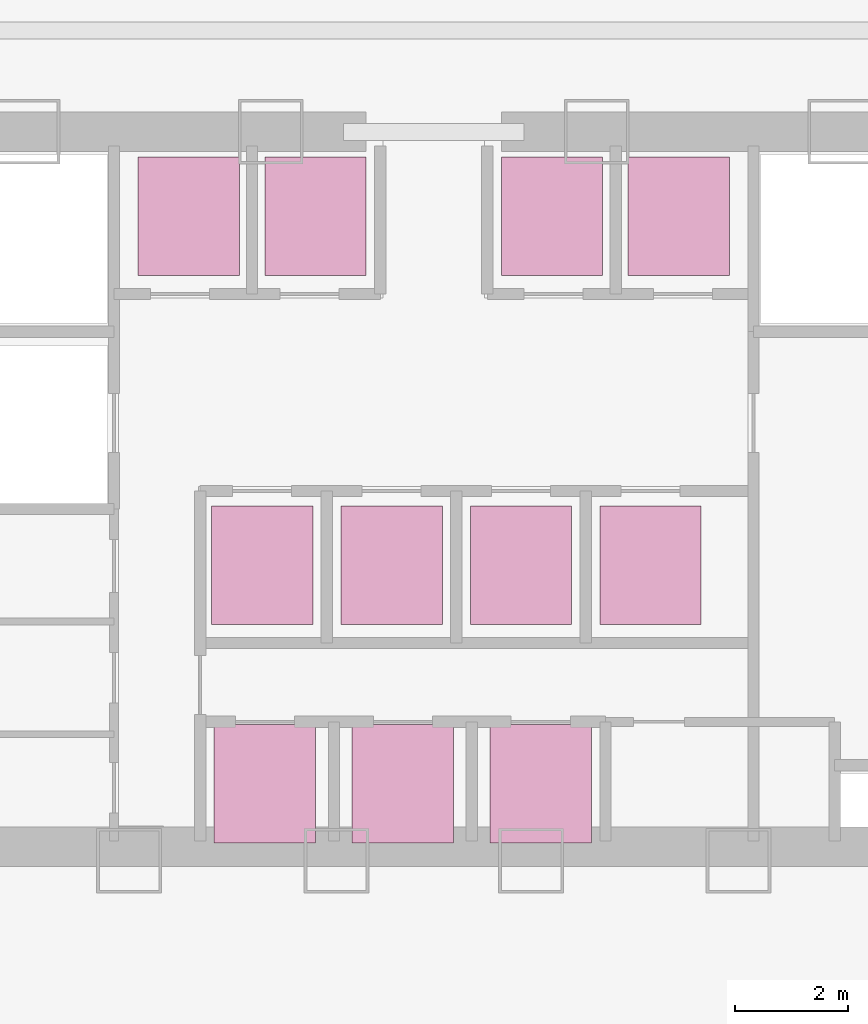
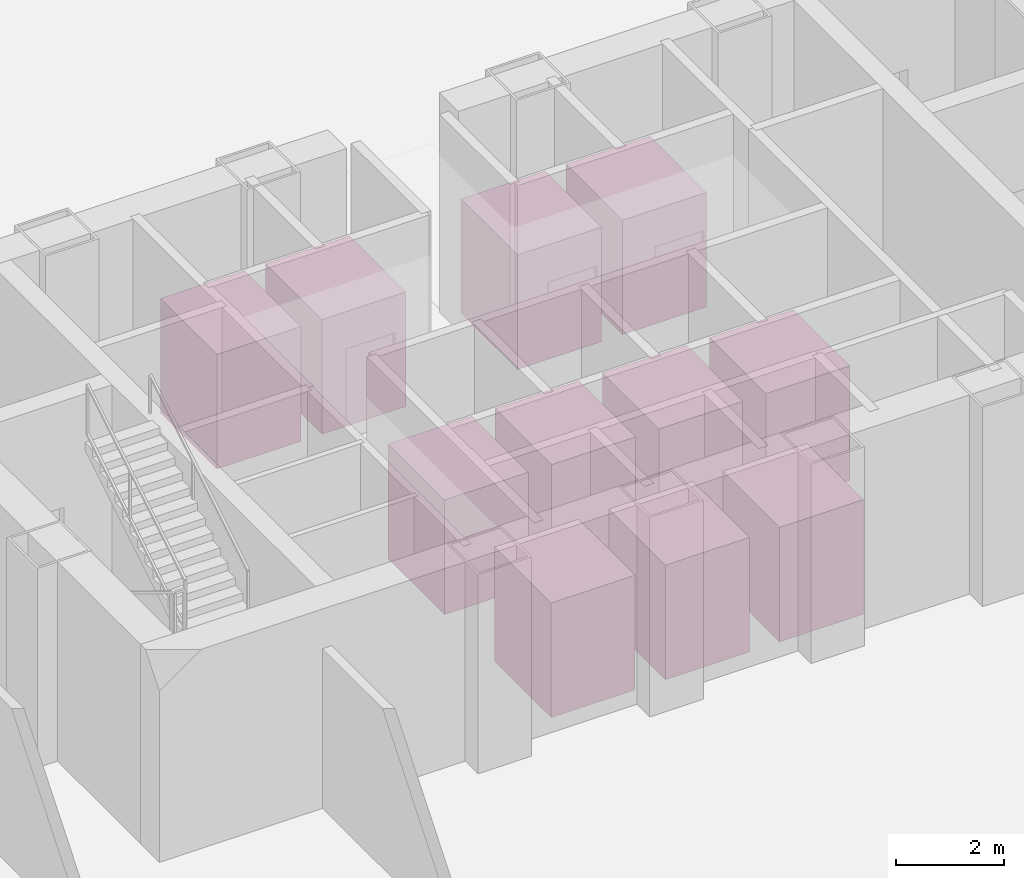
# One storey, part 58 of 58: 11 transport elements.
"""IFC4 building model written with IfcOpenShell, lengths in metres."""

from ifc_helpers import new_model, si_unit, direction, frame, origin, origin_2d, place, context, subcontext, project, spatial, rectangle, extrude, source, transform, mapped, material, type_object, element, save


model = new_model("IFC4")

# Units and contexts
model_context = context("Model", 3, precision=1e-05, world=origin(), true_north=direction((0.0, 1.0)))
body_context = subcontext(model_context, "Body", "Model", "MODEL_VIEW")
ifc_project = project(units=[si_unit("LENGTHUNIT", "METRE"), si_unit("AREAUNIT", "SQUARE_METRE"), si_unit("VOLUMEUNIT", "CUBIC_METRE"), si_unit("PLANEANGLEUNIT", "RADIAN"), si_unit("MASSUNIT", "GRAM", prefix="KILO"), si_unit("THERMODYNAMICTEMPERATUREUNIT", "KELVIN"), si_unit("POWERUNIT", "WATT")], contexts=[model_context])

# Site, building, storey
site_placement = place(None, origin())
site = spatial("IfcSite", under=ifc_project, at=site_placement, CompositionType="ELEMENT")
building_placement = place(site_placement, origin())
building = spatial("IfcBuilding", under=site, at=building_placement, Name="Yunzhuo Pagoda Commons", CompositionType="ELEMENT")
storey_placement = place(building_placement, origin())
storey = spatial("IfcBuildingStorey", under=building, at=storey_placement, Name="L01", CompositionType="ELEMENT", Elevation=0.0)

# Transport elements
ifc_material = material(Name="Brushed stainless cabin enclosure")
transport_element_type = type_object("IfcTransportElementType", Name="ELV-PAS1 High-Speed Passenger Lift Car 1800x2100", PredefinedType="ELEVATOR", material=ifc_material)
shared_shape = source(origin(), body_context, "Body", "SweptSolid", [
    extrude(rectangle(XDim=1.800048828125, YDim=2.10009765625, at=origin_2d()), origin(), (0.0, 0.0, 1.0), 2.60009765625),
])
for number, where, z_axis, x_axis, name in (
    (1, (43.64990234375, 38.699951171875, 0.0), (0.0, 0.0, 1.0), (1.0, 0.0, 0.0), "Passenger Lift PL-L1"),
    (2, (45.89990234375, 38.699951171875, 0.0), (0.0, 0.0, 1.0), (1.0, 0.0, 0.0), "Passenger Lift PL-L2"),
    (3, (50.10009765625, 38.699951171875, 0.0), (0.0, 0.0, 1.0), (1.0, 0.0, 0.0), "Passenger Lift PL-L3"),
    (4, (52.35009765625, 38.699951171875, 0.0), (0.0, 0.0, 1.0), (1.0, 0.0, 0.0), "Passenger Lift PL-L4"),
    (5, (44.949951171875, 32.5, 0.0), (0.0, 0.0, 1.0), (1.0, 0.0, 0.0), "Passenger Lift PL-M1"),
    (6, (47.25, 32.5, 0.0), (0.0, 0.0, 1.0), (1.0, 0.0, 0.0), "Passenger Lift PL-M2"),
    (7, (49.550048828125, 32.5, 0.0), (0.0, 0.0, 1.0), (1.0, 0.0, 0.0), "Passenger Lift PL-M3"),
    (8, (51.85009765625, 32.5, 0.0), (0.0, 0.0, 1.0), (1.0, 0.0, 0.0), "Passenger Lift PL-M4"),
    (9, (45.0, 28.6201171875, 0.0), (0.0, 0.0, 1.0), (1.0, 0.0, 0.0), "Passenger Lift PL-H1"),
    (10, (47.449951171875, 28.6201171875, 0.0), (0.0, 0.0, 1.0), (1.0, 0.0, 0.0), "Passenger Lift PL-H2"),
    (11, (49.89990234375, 28.6201171875, 0.0), (0.0, 0.0, 1.0), (1.0, 0.0, 0.0), "Passenger Lift PL-H3"),
):
    element("IfcTransportElement", number, at=place(storey_placement, frame(where, z_axis=z_axis, x_axis=x_axis)), inside=storey, type_object=transport_element_type, Name=name, PredefinedType="ELEVATOR", context=body_context, shape_type="MappedRepresentation", body=[
        mapped(shared_shape, transform((0.0, 0.0, 0.0), scale=1.0)),
    ])

save(model, "model.ifc")
